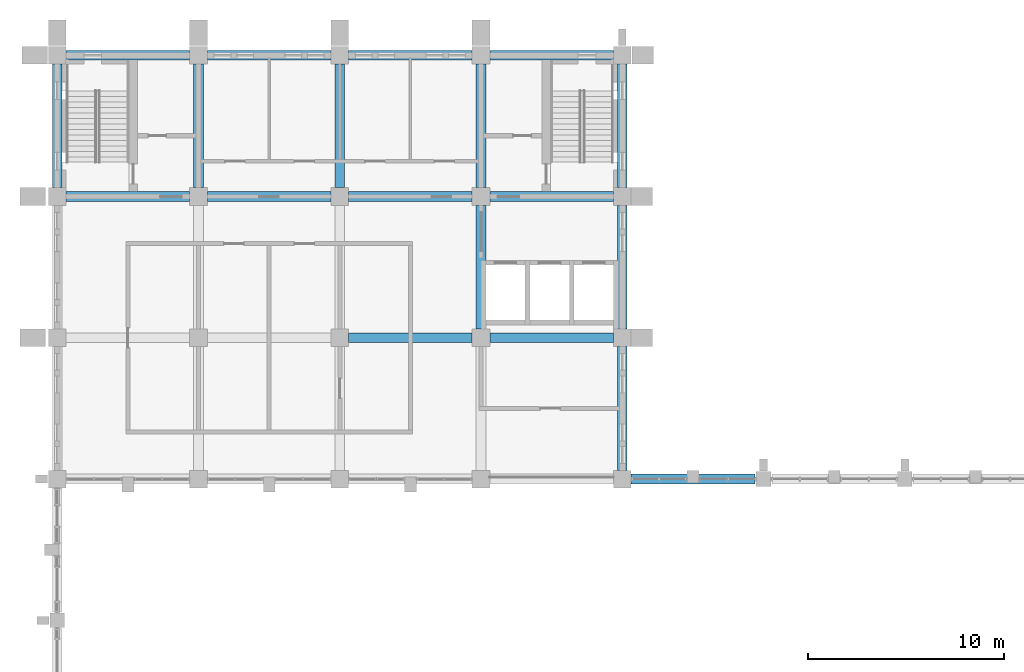
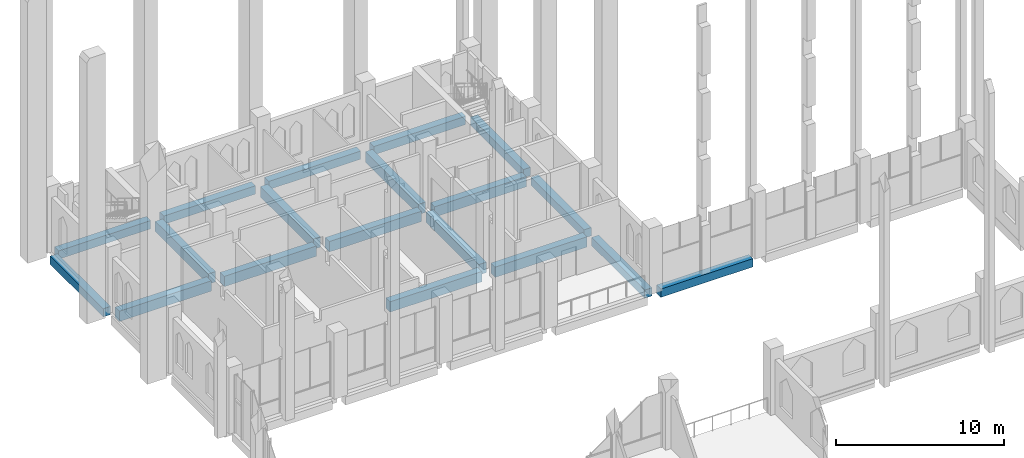
# One storey, part 12 of 40: 19 beams.
"""IFC4 building model written with IfcOpenShell, lengths in metres."""

from ifc_helpers import new_model, si_unit, direction, frame, origin, origin_2d, place, context, subcontext, project, spatial, rectangle, extrude, material, material_profile, profile_set, type_object, element, save


model = new_model("IFC4")

# Units and contexts
model_context = context("Model", 3, precision=1e-05, world=origin(), true_north=direction((0.0, 1.0)))
body_context = subcontext(model_context, "Body", "Model", "MODEL_VIEW")
ifc_project = project(units=[si_unit("LENGTHUNIT", "METRE"), si_unit("AREAUNIT", "SQUARE_METRE"), si_unit("VOLUMEUNIT", "CUBIC_METRE"), si_unit("PLANEANGLEUNIT", "RADIAN"), si_unit("MASSUNIT", "GRAM", prefix="KILO")], contexts=[model_context])

# Site, building, storey
site_placement = place(None, origin())
site = spatial("IfcSite", under=ifc_project, at=site_placement, CompositionType="ELEMENT")
building_placement = place(site_placement, origin())
building = spatial("IfcBuilding", under=site, at=building_placement, Name="Silangan Lancet Faculty of Sciences", CompositionType="ELEMENT")
storey_placement = place(building_placement, frame((0.0, 0.0, 21.60009765625)))
storey = spatial("IfcBuildingStorey", under=building, at=storey_placement, Name="L04", CompositionType="ELEMENT", Elevation=21.60009765625)

# Beams
ifc_material_1 = material(Name="Concrete C40/50", Category="concrete")
ifc_material_profile_1 = material_profile(ifc_material_1, rectangle(XDim=0.5, YDim=0.60009765625, at=origin_2d()), Name="RC 500x600")
ifc_profile_set_1 = profile_set([ifc_material_profile_1], Name="Concrete C40/50")
beam_type_1 = type_object("IfcBeamType", Name="BEAM RC 500x600", PredefinedType="BEAM", material=ifc_profile_set_1)
beam_1_placement = place(storey_placement, frame((29.25, 36.0, -0.300048828125), z_axis=(1.0, 0.0, 0.0), x_axis=(0.0, 1.0, 0.0)))
element("IfcBeam", 1, at=beam_1_placement, inside=storey, type_object=beam_type_1, Name="BM-L04-5F-6F", PredefinedType="BEAM", context=body_context, shape_type="SweptSolid", body=[
    extrude(rectangle(XDim=0.5, YDim=0.60009765625, at=origin_2d()), origin(), (0.0, 0.0, 1.0), 6.324951171875),
])
for number, where, z_axis, x_axis, name in (
    (2, (0.449951171875, 57.60009765625, -0.550048828125), (1.0, 0.0, 0.0), (0.0, 1.0, 0.0), "BM-L04-1I-2I"),
    (3, (7.64990234375, 57.60009765625, -0.550048828125), (1.0, 0.0, 0.0), (0.0, 1.0, 0.0), "BM-L04-2I-3I"),
):
    element("IfcBeam", number, at=place(storey_placement, frame(where, z_axis=z_axis, x_axis=x_axis)), inside=storey, type_object=beam_type_1, Name=name, PredefinedType="BEAM", context=body_context, shape_type="SweptSolid", body=[
        extrude(rectangle(XDim=0.5, YDim=0.60009765625, at=origin_2d()), origin(), (0.0, 0.0, 1.0), 6.300048828125),
    ])
beam_2_placement = place(storey_placement, frame((14.85009765625, 57.60009765625, -0.550048828125), z_axis=(1.0, 0.0, 0.0), x_axis=(0.0, 1.0, 0.0)))
element("IfcBeam", 4, at=beam_2_placement, inside=storey, type_object=beam_type_1, Name="BM-L04-3I-4I", PredefinedType="BEAM", context=body_context, shape_type="SweptSolid", body=[
    extrude(rectangle(XDim=0.5, YDim=0.60009765625, at=origin_2d()), origin(), (0.0, 0.0, 1.0), 6.2998046875),
])
beam_3_placement = place(storey_placement, frame((22.050048828125, 57.60009765625, -0.550048828125), z_axis=(1.0, 0.0, 0.0), x_axis=(0.0, 1.0, 0.0)))
element("IfcBeam", 5, at=beam_3_placement, inside=storey, type_object=beam_type_1, Name="BM-L04-4I-5I", PredefinedType="BEAM", context=body_context, shape_type="SweptSolid", body=[
    extrude(rectangle(XDim=0.5, YDim=0.60009765625, at=origin_2d()), origin(), (0.0, 0.0, 1.0), 6.300048828125),
])
beam_4_placement = place(storey_placement, frame((0.0, 50.85009765625, -0.550048828125), z_axis=(0.0, 1.0, 0.0), x_axis=(-1.0, 0.0, 0.0)))
element("IfcBeam", 6, at=beam_4_placement, inside=storey, type_object=beam_type_1, Name="BM-L04-1H-1I", PredefinedType="BEAM", context=body_context, shape_type="SweptSolid", body=[
    extrude(rectangle(XDim=0.5, YDim=0.60009765625, at=origin_2d()), origin(), (0.0, 0.0, 1.0), 6.2998046875),
])
for number, where, z_axis, x_axis, name in (
    (7, (28.800048828125, 36.449951171875, -0.550048828125), (0.0, 1.0, 0.0), (-1.0, 0.0, 0.0), "BM-L04-5F-5G"),
    (8, (28.800048828125, 43.64990234375, -0.550048828125), (0.0, 1.0, 0.0), (-1.0, 0.0, 0.0), "BM-L04-5G-5H"),
):
    element("IfcBeam", number, at=place(storey_placement, frame(where, z_axis=z_axis, x_axis=x_axis)), inside=storey, type_object=beam_type_1, Name=name, PredefinedType="BEAM", context=body_context, shape_type="SweptSolid", body=[
        extrude(rectangle(XDim=0.5, YDim=0.60009765625, at=origin_2d()), origin(), (0.0, 0.0, 1.0), 6.300048828125),
    ])
beam_5_placement = place(storey_placement, frame((28.800048828125, 50.85009765625, -0.550048828125), z_axis=(0.0, 1.0, 0.0), x_axis=(-1.0, 0.0, 0.0)))
element("IfcBeam", 9, at=beam_5_placement, inside=storey, type_object=beam_type_1, Name="BM-L04-5H-5I", PredefinedType="BEAM", context=body_context, shape_type="SweptSolid", body=[
    extrude(rectangle(XDim=0.5, YDim=0.60009765625, at=origin_2d()), origin(), (0.0, 0.0, 1.0), 6.2998046875),
])
ifc_material_2 = material(Name="Concrete C40/50", Category="concrete")
ifc_material_profile_2 = material_profile(ifc_material_2, rectangle(XDim=0.5, YDim=0.75, at=origin_2d()), Name="RC 500x750")
ifc_profile_set_2 = profile_set([ifc_material_profile_2], Name="Concrete C40/50")
beam_type_2 = type_object("IfcBeamType", Name="BEAM RC 500x750", PredefinedType="BEAM", material=ifc_profile_set_2)
beam_6_placement = place(storey_placement, frame((14.85009765625, 43.199951171875, -0.625), z_axis=(1.0, 0.0, 0.0), x_axis=(0.0, 1.0, 0.0)))
element("IfcBeam", 10, at=beam_6_placement, inside=storey, type_object=beam_type_2, Name="BM-L04-3G-4G", PredefinedType="BEAM", context=body_context, shape_type="SweptSolid", body=[
    extrude(rectangle(XDim=0.5, YDim=0.75, at=origin_2d()), origin(), (0.0, 0.0, 1.0), 6.2998046875),
])
for number, where, z_axis, x_axis, name in (
    (11, (22.050048828125, 43.199951171875, -0.625), (1.0, 0.0, 0.0), (0.0, 1.0, 0.0), "BM-L04-4G-5G"),
    (12, (0.449951171875, 50.39990234375, -0.625), (1.0, 0.0, 0.0), (0.0, 1.0, 0.0), "BM-L04-1H-2H"),
    (13, (7.64990234375, 50.39990234375, -0.625), (1.0, 0.0, 0.0), (0.0, 1.0, 0.0), "BM-L04-2H-3H"),
):
    element("IfcBeam", number, at=place(storey_placement, frame(where, z_axis=z_axis, x_axis=x_axis)), inside=storey, type_object=beam_type_2, Name=name, PredefinedType="BEAM", context=body_context, shape_type="SweptSolid", body=[
        extrude(rectangle(XDim=0.5, YDim=0.75, at=origin_2d()), origin(), (0.0, 0.0, 1.0), 6.300048828125),
    ])
beam_7_placement = place(storey_placement, frame((14.85009765625, 50.39990234375, -0.625), z_axis=(1.0, 0.0, 0.0), x_axis=(0.0, 1.0, 0.0)))
element("IfcBeam", 14, at=beam_7_placement, inside=storey, type_object=beam_type_2, Name="BM-L04-3H-4H", PredefinedType="BEAM", context=body_context, shape_type="SweptSolid", body=[
    extrude(rectangle(XDim=0.5, YDim=0.75, at=origin_2d()), origin(), (0.0, 0.0, 1.0), 6.2998046875),
])
beam_8_placement = place(storey_placement, frame((22.050048828125, 50.39990234375, -0.625), z_axis=(1.0, 0.0, 0.0), x_axis=(0.0, 1.0, 0.0)))
element("IfcBeam", 15, at=beam_8_placement, inside=storey, type_object=beam_type_2, Name="BM-L04-4H-5H", PredefinedType="BEAM", context=body_context, shape_type="SweptSolid", body=[
    extrude(rectangle(XDim=0.5, YDim=0.75, at=origin_2d()), origin(), (0.0, 0.0, 1.0), 6.300048828125),
])
for number, where, z_axis, x_axis, name in (
    (16, (7.199951171875, 50.85009765625, -0.625), (0.0, 1.0, 0.0), (-1.0, 0.0, 0.0), "BM-L04-2H-2I"),
    (17, (14.39990234375, 50.85009765625, -0.625), (0.0, 1.0, 0.0), (-1.0, 0.0, 0.0), "BM-L04-3H-3I"),
):
    element("IfcBeam", number, at=place(storey_placement, frame(where, z_axis=z_axis, x_axis=x_axis)), inside=storey, type_object=beam_type_2, Name=name, PredefinedType="BEAM", context=body_context, shape_type="SweptSolid", body=[
        extrude(rectangle(XDim=0.5, YDim=0.75, at=origin_2d()), origin(), (0.0, 0.0, 1.0), 6.2998046875),
    ])
beam_9_placement = place(storey_placement, frame((21.60009765625, 43.64990234375, -0.625), z_axis=(0.0, 1.0, 0.0), x_axis=(-1.0, 0.0, 0.0)))
element("IfcBeam", 18, at=beam_9_placement, inside=storey, type_object=beam_type_2, Name="BM-L04-4G-4H", PredefinedType="BEAM", context=body_context, shape_type="SweptSolid", body=[
    extrude(rectangle(XDim=0.5, YDim=0.75, at=origin_2d()), origin(), (0.0, 0.0, 1.0), 6.300048828125),
])
beam_10_placement = place(storey_placement, frame((21.60009765625, 50.85009765625, -0.625), z_axis=(0.0, 1.0, 0.0), x_axis=(-1.0, 0.0, 0.0)))
element("IfcBeam", 19, at=beam_10_placement, inside=storey, type_object=beam_type_2, Name="BM-L04-4H-4I", PredefinedType="BEAM", context=body_context, shape_type="SweptSolid", body=[
    extrude(rectangle(XDim=0.5, YDim=0.75, at=origin_2d()), origin(), (0.0, 0.0, 1.0), 6.2998046875),
])

save(model, "model.ifc")
